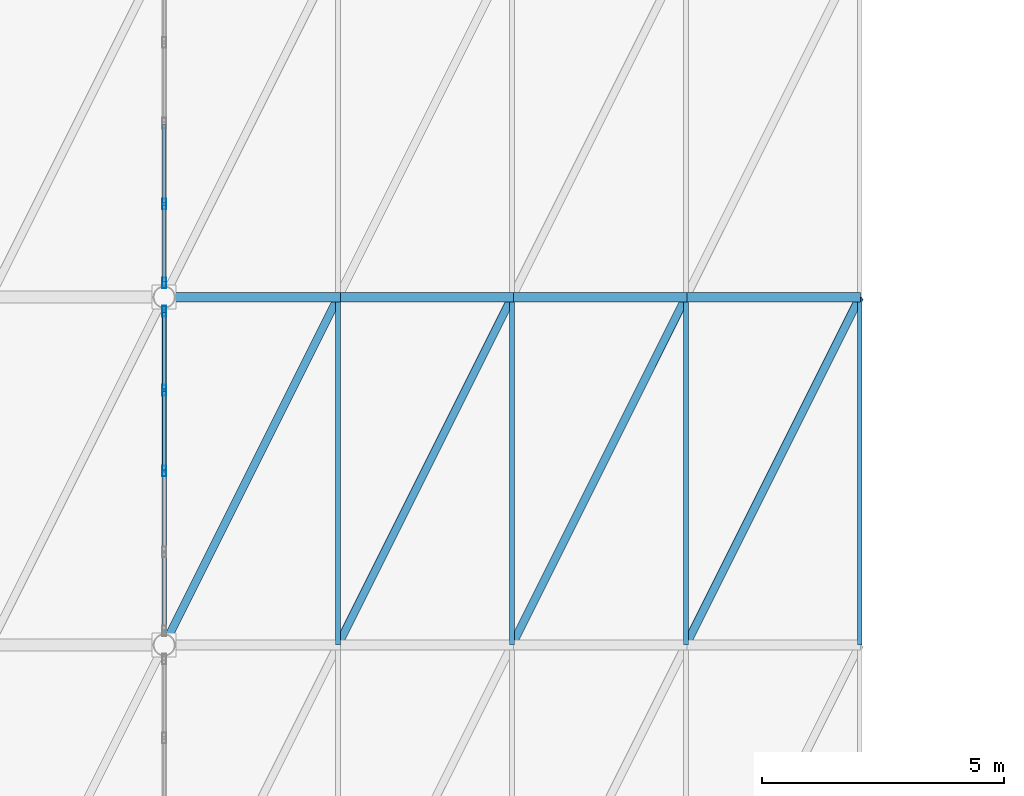
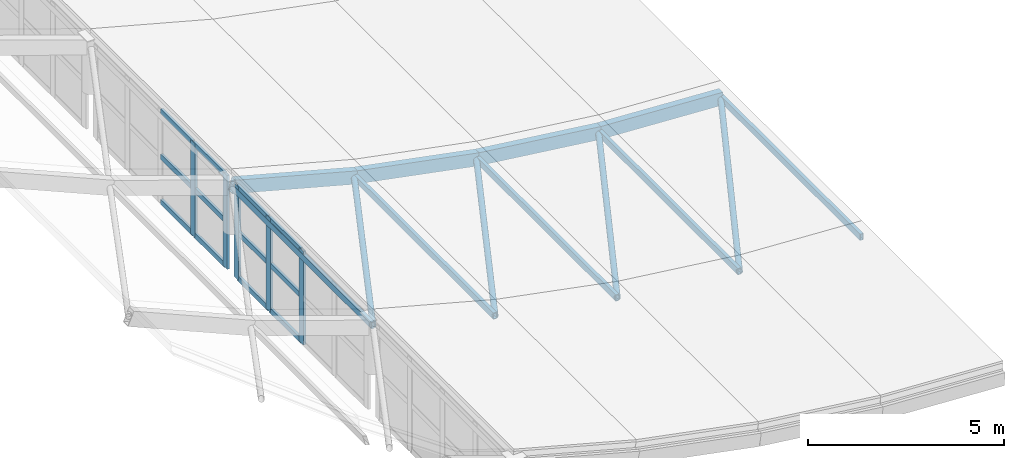
# One storey, part 66 of 153: 26 members, 4 beams, 2 elements without a shape of their own.
"""IFC4 building model written with IfcOpenShell, lengths in metres."""

from ifc_helpers import new_model, si_unit, direction, frame, origin, origin_2d, place, context, subcontext, project, spatial, hollow_rectangle, hollow_circle, extrude, material, material_profile, profile_set, type_object, element, aggregate, save


model = new_model("IFC4")

# Units and contexts
model_context = context("Model", 3, precision=1e-05, world=origin(), true_north=direction((0.0, 1.0)))
body_context = subcontext(model_context, "Body", "Model", "MODEL_VIEW")
ifc_project = project(units=[si_unit("LENGTHUNIT", "METRE"), si_unit("AREAUNIT", "SQUARE_METRE"), si_unit("VOLUMEUNIT", "CUBIC_METRE"), si_unit("PLANEANGLEUNIT", "RADIAN"), si_unit("MASSUNIT", "GRAM", prefix="KILO")], contexts=[model_context])

# Site, building, storey
site_placement = place(None, origin())
site = spatial("IfcSite", under=ifc_project, at=site_placement, CompositionType="ELEMENT")
building_placement = place(site_placement, origin())
building = spatial("IfcBuilding", under=site, at=building_placement, Name="Qandorah Velis Arena", CompositionType="ELEMENT")
storey_placement = place(building_placement, frame((0.0, 0.0, 5.39990234375)))
storey = spatial("IfcBuildingStorey", under=building, at=storey_placement, Name="L01", CompositionType="ELEMENT", Elevation=5.39990234375)

# Curtain wall, members
ifc_material_1 = material(Name="Solar-control low-E double glazing", Category="glass")
curtain_wall_type_1 = type_object("IfcCurtainWallType", Name="ARC-CW-SYS07", PredefinedType="USERDEFINED", material=ifc_material_1)
curtain_wall_1_placement = place(storey_placement, origin())
curtain_wall_1 = element("IfcCurtainWall", 1, at=curtain_wall_1_placement, inside=storey, type_object=curtain_wall_type_1, Name="Unitised curtain wall FOY-UP-6", ObjectType="UNITISED CURTAIN WALL", PredefinedType="USERDEFINED")
ifc_material_2 = material(Name="Champagne-bronze anodized aluminium 6063-T6", Category="aluminium")
ifc_material_profile_1 = material_profile(ifc_material_2, hollow_rectangle(XDim=0.074951171875, YDim=0.219970703125, WallThickness=0.00390625, at=origin_2d()), Name="ALU MULLION 75x220")
ifc_profile_set_1 = profile_set([ifc_material_profile_1], Name="Champagne-bronze anodized aluminium 6063-T6")
member_type_1 = type_object("IfcMemberType", Name="ARC-CWM-220", PredefinedType="MULLION", material=ifc_profile_set_1)
member_1_placement = place(storey_placement, frame((144.0, 25.199951171875, -1.3349609375), z_axis=(0.0, 0.0, 1.0), x_axis=(-1.0, 0.0, 0.0)))
member_1 = element("IfcMember", 2, at=member_1_placement, type_object=member_type_1, Name="CW07 mullion 3", PredefinedType="MULLION", context=body_context, shape_type="SweptSolid", body=[
    extrude(hollow_rectangle(XDim=0.074951171875, YDim=0.219970703125, WallThickness=0.00390625, at=origin_2d()), origin(), (0.0, 0.0, 1.0), 2.918701171875),
])
member_2_placement = place(storey_placement, frame((144.0, 26.873291015625, -1.3349609375), z_axis=(0.0, 0.0, 1.0), x_axis=(-1.0, 0.0, 0.0)))
member_2 = element("IfcMember", 3, at=member_2_placement, type_object=member_type_1, Name="CW07 mullion 4", PredefinedType="MULLION", context=body_context, shape_type="SweptSolid", body=[
    extrude(hollow_rectangle(XDim=0.074951171875, YDim=0.219970703125, WallThickness=0.00390625, at=origin_2d()), origin(), (0.0, 0.0, 1.0), 2.918701171875),
])
member_3_placement = place(storey_placement, frame((144.0, 28.509033203125, -1.3349609375), z_axis=(0.0, 0.0, 1.0), x_axis=(-1.0, 0.0, 0.0)))
member_3 = element("IfcMember", 4, at=member_3_placement, type_object=member_type_1, Name="CW07 mullion 5", PredefinedType="MULLION", context=body_context, shape_type="SweptSolid", body=[
    extrude(hollow_rectangle(XDim=0.074951171875, YDim=0.219970703125, WallThickness=0.00390625, at=origin_2d()), origin(), (0.0, 0.0, 1.0), 2.918701171875),
])

curtain_wall_type_2 = type_object("IfcCurtainWallType", Name="ARC-CW-SYS08", PredefinedType="USERDEFINED", material=ifc_material_1)
curtain_wall_2_placement = place(storey_placement, origin())
curtain_wall_2 = element("IfcCurtainWall", 5, at=curtain_wall_2_placement, inside=storey, type_object=curtain_wall_type_2, Name="Unitised curtain wall FOY-UP-7", ObjectType="UNITISED CURTAIN WALL", PredefinedType="USERDEFINED")
member_4_placement = place(storey_placement, frame((144.0, 29.091064453125, -1.3349609375), z_axis=(0.0, 0.0, 1.0), x_axis=(-1.0, 0.0, 0.0)))
member_4 = element("IfcMember", 6, at=member_4_placement, type_object=member_type_1, Name="CW08 mullion 1", PredefinedType="MULLION", context=body_context, shape_type="SweptSolid", body=[
    extrude(hollow_rectangle(XDim=0.074951171875, YDim=0.219970703125, WallThickness=0.00390625, at=origin_2d()), origin(), (0.0, 0.0, 1.0), 2.918701171875),
])
member_5_placement = place(storey_placement, frame((144.0, 30.726806640625, -1.3349609375), z_axis=(0.0, 0.0, 1.0), x_axis=(-1.0, 0.0, 0.0)))
member_5 = element("IfcMember", 7, at=member_5_placement, type_object=member_type_1, Name="CW08 mullion 2", PredefinedType="MULLION", context=body_context, shape_type="SweptSolid", body=[
    extrude(hollow_rectangle(XDim=0.074951171875, YDim=0.219970703125, WallThickness=0.00390625, at=origin_2d()), origin(), (0.0, 0.0, 1.0), 2.918701171875),
])

# Member
ifc_material_profile_2 = material_profile(ifc_material_2, hollow_rectangle(XDim=0.074951171875, YDim=0.159912109375, WallThickness=0.00341796875, at=origin_2d()), Name="ALU TRANSOM 75x160")
ifc_profile_set_2 = profile_set([ifc_material_profile_2], Name="Champagne-bronze anodized aluminium 6063-T6")
member_type_2 = type_object("IfcMemberType", Name="ARC-CWT-160", PredefinedType="USERDEFINED", material=ifc_profile_set_2)
member_6_placement = place(storey_placement, frame((144.0, 25.2255859375, -1.282470703125), z_axis=(0.0, 1.0, 0.0), x_axis=(-1.0, 0.0, 0.0)))
member_6 = element("IfcMember", 8, at=member_6_placement, type_object=member_type_2, Name="CW07 transom 3.1", ObjectType="TRANSOM", PredefinedType="USERDEFINED", context=body_context, shape_type="SweptSolid", body=[
    extrude(hollow_rectangle(XDim=0.074951171875, YDim=0.159912109375, WallThickness=0.00341796875, at=origin_2d()), origin(), (0.0, 0.0, 1.0), 1.622314453125),
])

member_7_placement = place(storey_placement, frame((144.0, 25.2255859375, 0.12451171875), z_axis=(0.0, 1.0, 0.0), x_axis=(-1.0, 0.0, 0.0)))
member_7 = element("IfcMember", 9, at=member_7_placement, type_object=member_type_2, Name="CW07 transom 3.2", ObjectType="TRANSOM", PredefinedType="USERDEFINED", context=body_context, shape_type="SweptSolid", body=[
    extrude(hollow_rectangle(XDim=0.074951171875, YDim=0.159912109375, WallThickness=0.00341796875, at=origin_2d()), origin(), (0.0, 0.0, 1.0), 1.622314453125),
])

member_8_placement = place(storey_placement, frame((144.0, 25.2255859375, 1.53125), z_axis=(0.0, 1.0, 0.0), x_axis=(-1.0, 0.0, 0.0)))
member_8 = element("IfcMember", 10, at=member_8_placement, type_object=member_type_2, Name="CW07 transom 3.3", ObjectType="TRANSOM", PredefinedType="USERDEFINED", context=body_context, shape_type="SweptSolid", body=[
    extrude(hollow_rectangle(XDim=0.074951171875, YDim=0.159912109375, WallThickness=0.00341796875, at=origin_2d()), origin(), (0.0, 0.0, 1.0), 1.622314453125),
])

member_9_placement = place(storey_placement, frame((144.0, 26.898681640625, -1.282470703125), z_axis=(0.0, 1.0, 0.0), x_axis=(-1.0, 0.0, 0.0)))
member_9 = element("IfcMember", 11, at=member_9_placement, type_object=member_type_2, Name="CW07 transom 4.1", ObjectType="TRANSOM", PredefinedType="USERDEFINED", context=body_context, shape_type="SweptSolid", body=[
    extrude(hollow_rectangle(XDim=0.074951171875, YDim=0.159912109375, WallThickness=0.00341796875, at=origin_2d()), origin(), (0.0, 0.0, 1.0), 1.584716796875),
])

member_10_placement = place(storey_placement, frame((144.0, 26.898681640625, 0.12451171875), z_axis=(0.0, 1.0, 0.0), x_axis=(-1.0, 0.0, 0.0)))
member_10 = element("IfcMember", 12, at=member_10_placement, type_object=member_type_2, Name="CW07 transom 4.2", ObjectType="TRANSOM", PredefinedType="USERDEFINED", context=body_context, shape_type="SweptSolid", body=[
    extrude(hollow_rectangle(XDim=0.074951171875, YDim=0.159912109375, WallThickness=0.00341796875, at=origin_2d()), origin(), (0.0, 0.0, 1.0), 1.584716796875),
])

member_11_placement = place(storey_placement, frame((144.0, 26.898681640625, 1.53125), z_axis=(0.0, 1.0, 0.0), x_axis=(-1.0, 0.0, 0.0)))
member_11 = element("IfcMember", 13, at=member_11_placement, type_object=member_type_2, Name="CW07 transom 4.3", ObjectType="TRANSOM", PredefinedType="USERDEFINED", context=body_context, shape_type="SweptSolid", body=[
    extrude(hollow_rectangle(XDim=0.074951171875, YDim=0.159912109375, WallThickness=0.00341796875, at=origin_2d()), origin(), (0.0, 0.0, 1.0), 1.584716796875),
])

aggregate(curtain_wall_1, [member_1, member_2, member_3, member_6, member_7, member_8, member_9, member_10, member_11])

member_12_placement = place(storey_placement, frame((144.0, 29.116455078125, -1.282470703125), z_axis=(0.0, 1.0, 0.0), x_axis=(-1.0, 0.0, 0.0)))
member_12 = element("IfcMember", 14, at=member_12_placement, type_object=member_type_2, Name="CW08 transom 1.1", ObjectType="TRANSOM", PredefinedType="USERDEFINED", context=body_context, shape_type="SweptSolid", body=[
    extrude(hollow_rectangle(XDim=0.074951171875, YDim=0.159912109375, WallThickness=0.00341796875, at=origin_2d()), origin(), (0.0, 0.0, 1.0), 1.584716796875),
])

member_13_placement = place(storey_placement, frame((144.0, 29.116455078125, 0.12451171875), z_axis=(0.0, 1.0, 0.0), x_axis=(-1.0, 0.0, 0.0)))
member_13 = element("IfcMember", 15, at=member_13_placement, type_object=member_type_2, Name="CW08 transom 1.2", ObjectType="TRANSOM", PredefinedType="USERDEFINED", context=body_context, shape_type="SweptSolid", body=[
    extrude(hollow_rectangle(XDim=0.074951171875, YDim=0.159912109375, WallThickness=0.00341796875, at=origin_2d()), origin(), (0.0, 0.0, 1.0), 1.584716796875),
])

member_14_placement = place(storey_placement, frame((144.0, 29.116455078125, 1.53125), z_axis=(0.0, 1.0, 0.0), x_axis=(-1.0, 0.0, 0.0)))
member_14 = element("IfcMember", 16, at=member_14_placement, type_object=member_type_2, Name="CW08 transom 1.3", ObjectType="TRANSOM", PredefinedType="USERDEFINED", context=body_context, shape_type="SweptSolid", body=[
    extrude(hollow_rectangle(XDim=0.074951171875, YDim=0.159912109375, WallThickness=0.00341796875, at=origin_2d()), origin(), (0.0, 0.0, 1.0), 1.584716796875),
])

member_15_placement = place(storey_placement, frame((144.0, 30.752197265625, -1.282470703125), z_axis=(0.0, 1.0, 0.0), x_axis=(-1.0, 0.0, 0.0)))
member_15 = element("IfcMember", 17, at=member_15_placement, type_object=member_type_2, Name="CW08 transom 2.1", ObjectType="TRANSOM", PredefinedType="USERDEFINED", context=body_context, shape_type="SweptSolid", body=[
    extrude(hollow_rectangle(XDim=0.074951171875, YDim=0.159912109375, WallThickness=0.00341796875, at=origin_2d()), origin(), (0.0, 0.0, 1.0), 1.622314453125),
])

member_16_placement = place(storey_placement, frame((144.0, 30.752197265625, 0.12451171875), z_axis=(0.0, 1.0, 0.0), x_axis=(-1.0, 0.0, 0.0)))
member_16 = element("IfcMember", 18, at=member_16_placement, type_object=member_type_2, Name="CW08 transom 2.2", ObjectType="TRANSOM", PredefinedType="USERDEFINED", context=body_context, shape_type="SweptSolid", body=[
    extrude(hollow_rectangle(XDim=0.074951171875, YDim=0.159912109375, WallThickness=0.00341796875, at=origin_2d()), origin(), (0.0, 0.0, 1.0), 1.622314453125),
])

member_17_placement = place(storey_placement, frame((144.0, 30.752197265625, 1.53125), z_axis=(0.0, 1.0, 0.0), x_axis=(-1.0, 0.0, 0.0)))
member_17 = element("IfcMember", 19, at=member_17_placement, type_object=member_type_2, Name="CW08 transom 2.3", ObjectType="TRANSOM", PredefinedType="USERDEFINED", context=body_context, shape_type="SweptSolid", body=[
    extrude(hollow_rectangle(XDim=0.074951171875, YDim=0.159912109375, WallThickness=0.00341796875, at=origin_2d()), origin(), (0.0, 0.0, 1.0), 1.622314453125),
])

aggregate(curtain_wall_2, [member_4, member_5, member_12, member_13, member_14, member_15, member_16, member_17])

# Beams
ifc_material_3 = material(Name="Steel S355", Category="steel")
ifc_material_profile_3 = material_profile(ifc_material_3, hollow_rectangle(XDim=0.199951171875, YDim=0.39990234375, WallThickness=0.01611328125, at=origin_2d()), Name="RHS 400x200x16")
ifc_profile_set_3 = profile_set([ifc_material_profile_3], Name="Steel S355")
beam_type = type_object("IfcBeamType", Name="STR-CRB-RHS400", PredefinedType="USERDEFINED", material=ifc_profile_set_3)
beam_1_placement = place(storey_placement, frame((144.0, 28.800048828125, 1.388916015625), z_axis=(0.966010590095, 0.0, -0.258502494813), x_axis=(0.0, 1.0, 0.0)))
element("IfcBeam", 20, at=beam_1_placement, inside=storey, type_object=beam_type, Name="Sweeping canopy rib CRB-3.09", ObjectType="ROOF TRUSS", PredefinedType="USERDEFINED", context=body_context, shape_type="SweptSolid", body=[
    extrude(hollow_rectangle(XDim=0.199951171875, YDim=0.39990234375, WallThickness=0.01611328125, at=origin_2d()), origin(), (0.0, 0.0, 1.0), 3.726806640625),
])
beam_2_placement = place(storey_placement, frame((147.60009765625, 28.800048828125, 0.425537109375), z_axis=(0.981815497393, 0.0, -0.18983763873), x_axis=(0.0, 1.0, 0.0)))
element("IfcBeam", 21, at=beam_2_placement, inside=storey, type_object=beam_type, Name="Sweeping canopy rib CRB-3.10", ObjectType="ROOF TRUSS", PredefinedType="USERDEFINED", context=body_context, shape_type="SweptSolid", body=[
    extrude(hollow_rectangle(XDim=0.199951171875, YDim=0.39990234375, WallThickness=0.01611328125, at=origin_2d()), origin(), (0.0, 0.0, 1.0), 3.66650390625),
])
beam_3_placement = place(storey_placement, frame((151.199951171875, 28.800048828125, -0.2705078125), z_axis=(0.992623962298, 0.0, -0.121233945212), x_axis=(0.0, 1.0, 0.0)))
element("IfcBeam", 22, at=beam_3_placement, inside=storey, type_object=beam_type, Name="Sweeping canopy rib CRB-3.11", ObjectType="ROOF TRUSS", PredefinedType="USERDEFINED", context=body_context, shape_type="SweptSolid", body=[
    extrude(hollow_rectangle(XDim=0.199951171875, YDim=0.39990234375, WallThickness=0.01611328125, at=origin_2d()), origin(), (0.0, 0.0, 1.0), 3.626953125),
])
beam_4_placement = place(storey_placement, frame((154.800048828125, 28.800048828125, -0.710205078125), z_axis=(0.99861445971, 0.0, -0.0526228169), x_axis=(0.0, 1.0, 0.0)))
element("IfcBeam", 23, at=beam_4_placement, inside=storey, type_object=beam_type, Name="Sweeping canopy rib CRB-3.12", ObjectType="ROOF TRUSS", PredefinedType="USERDEFINED", context=body_context, shape_type="SweptSolid", body=[
    extrude(hollow_rectangle(XDim=0.199951171875, YDim=0.39990234375, WallThickness=0.01611328125, at=origin_2d()), origin(), (0.0, 0.0, 1.0), 3.604736328125),
])

# Members
ifc_material_profile_4 = material_profile(ifc_material_3, hollow_rectangle(XDim=0.10009765625, YDim=0.199951171875, WallThickness=0.008056640625, at=origin_2d()), Name="RHS 200x100x8")
ifc_profile_set_4 = profile_set([ifc_material_profile_4], Name="Steel S355")
member_type_3 = type_object("IfcMemberType", Name="STR-PRL-RHS200", PredefinedType="PURLIN", material=ifc_profile_set_4)
for number, where, z_axis, x_axis, name in (
    (24, (144.0, 21.60009765625, 1.388916015625), (0.0, 1.0, 0.0), (-1.0, 0.0, 0.0), "Canopy cross purlin CPR-2.08"),
    (25, (147.60009765625, 21.60009765625, 0.425537109375), (0.0, 1.0, 0.0), (-1.0, 0.0, 0.0), "Canopy cross purlin CPR-2.09"),
    (26, (151.199951171875, 21.60009765625, -0.2705078125), (0.0, 1.0, 0.0), (-1.0, 0.0, 0.0), "Canopy cross purlin CPR-2.10"),
    (27, (154.800048828125, 21.60009765625, -0.710205078125), (0.0, 1.0, 0.0), (-1.0, 0.0, 0.0), "Canopy cross purlin CPR-2.11"),
    (28, (158.39990234375, 21.60009765625, -0.89990234375), (0.0, 1.0, 0.0), (-1.0, 0.0, 0.0), "Canopy cross purlin CPR-2.12"),
):
    element("IfcMember", number, at=place(storey_placement, frame(where, z_axis=z_axis, x_axis=x_axis)), inside=storey, type_object=member_type_3, Name=name, PredefinedType="PURLIN", context=body_context, shape_type="SweptSolid", body=[
        extrude(hollow_rectangle(XDim=0.10009765625, YDim=0.199951171875, WallThickness=0.008056640625, at=origin_2d()), origin(), (0.0, 0.0, 1.0), 7.199951171875),
    ])
ifc_material_profile_5 = material_profile(ifc_material_3, hollow_circle(Radius=0.084228515625, WallThickness=0.008056640625, at=origin_2d()), Name="CHS 168.3x8")
ifc_profile_set_5 = profile_set([ifc_material_profile_5], Name="Steel S355")
member_type_4 = type_object("IfcMemberType", Name="STR-SFD-CHS168X8", PredefinedType="STRUT", material=ifc_profile_set_5)
member_18_placement = place(storey_placement, frame((144.0, 21.60009765625, 1.388916015625), z_axis=(0.444057025989, 0.88808393825, -0.118828768788), x_axis=(-0.894421125195, 0.447225726904, 0.0)))
element("IfcMember", 29, at=member_18_placement, inside=storey, type_object=member_type_4, Name="Canopy roof plane diagonal CDG-2.09", PredefinedType="STRUT", context=body_context, shape_type="SweptSolid", body=[
    extrude(hollow_circle(Radius=0.084228515625, WallThickness=0.008056640625, at=origin_2d()), origin(), (0.0, 0.0, 1.0), 8.107177734375),
])
member_19_placement = place(storey_placement, frame((147.60009765625, 21.60009765625, 0.425537109375), z_axis=(0.44553897969, 0.891108175656, -0.086146600956), x_axis=(-0.894433256723, 0.447201463849, 0.0)))
element("IfcMember", 30, at=member_19_placement, inside=storey, type_object=member_type_4, Name="Canopy roof plane diagonal CDG-2.10", PredefinedType="STRUT", context=body_context, shape_type="SweptSolid", body=[
    extrude(hollow_circle(Radius=0.084228515625, WallThickness=0.008056640625, at=origin_2d()), origin(), (0.0, 0.0, 1.0), 8.079833984375),
])
member_20_placement = place(storey_placement, frame((151.199951171875, 21.60009765625, -0.2705078125), z_axis=(0.446560057141, 0.893089830811, -0.054540530511), x_axis=(-0.894421125195, 0.447225726904, 0.0)))
element("IfcMember", 31, at=member_20_placement, inside=storey, type_object=member_type_4, Name="Canopy roof plane diagonal CDG-2.11", PredefinedType="STRUT", context=body_context, shape_type="SweptSolid", body=[
    extrude(hollow_circle(Radius=0.084228515625, WallThickness=0.008056640625, at=origin_2d()), origin(), (0.0, 0.0, 1.0), 8.061767578125),
])
member_21_placement = place(storey_placement, frame((154.800048828125, 21.60009765625, -0.710205078125), z_axis=(0.447077341125, 0.894185002857, -0.02355911116), x_axis=(-0.894433256723, 0.447201463849, 0.0)))
element("IfcMember", 32, at=member_21_placement, inside=storey, type_object=member_type_4, Name="Canopy roof plane diagonal CDG-2.12", PredefinedType="STRUT", context=body_context, shape_type="SweptSolid", body=[
    extrude(hollow_circle(Radius=0.084228515625, WallThickness=0.008056640625, at=origin_2d()), origin(), (0.0, 0.0, 1.0), 8.052001953125),
])

save(model, "model.ifc")
